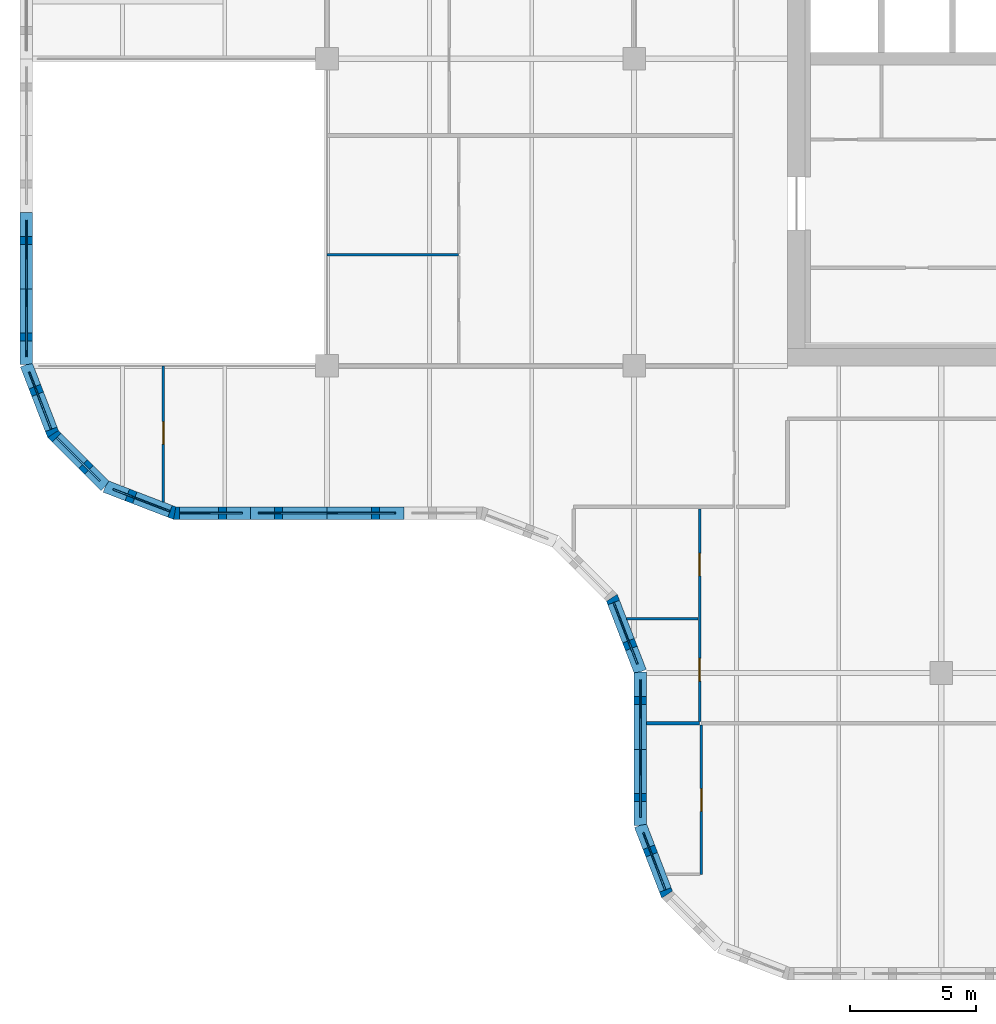
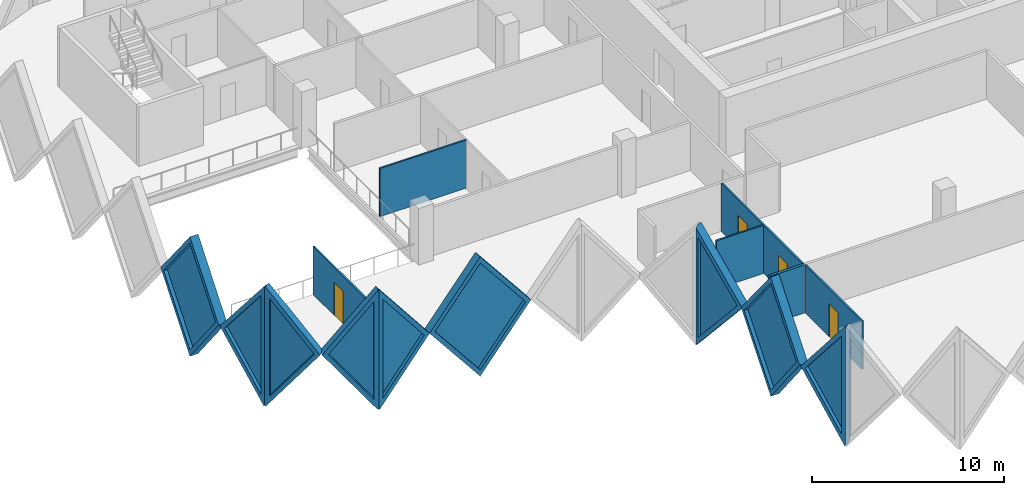
# One storey, part 3 of 12: 15 walls, 9 plates, 4 doors, 13 openings.
"""IFC4 building model written with IfcOpenShell, lengths in metres."""

from ifc_helpers import new_model, si_unit, direction, frame, frame_2d, origin, place, context, subcontext, project, spatial, polyline, rectangle, outline, extrude, faceted_brep, source, transform, mapped, material, layer, layer_set, type_object, element, fill, save


model = new_model("IFC4")

# Units and contexts
model_context = context("Model", 3, precision=1e-05, world=origin(), true_north=direction((0.0, 1.0)))
body_context = subcontext(model_context, "Body", "Model", "MODEL_VIEW")
ifc_project = project(units=[si_unit("LENGTHUNIT", "METRE"), si_unit("AREAUNIT", "SQUARE_METRE"), si_unit("VOLUMEUNIT", "CUBIC_METRE"), si_unit("PLANEANGLEUNIT", "RADIAN"), si_unit("MASSUNIT", "GRAM", prefix="KILO")], contexts=[model_context])

# Site, building, storey
site_placement = place(None, origin())
site = spatial("IfcSite", under=ifc_project, at=site_placement, CompositionType="ELEMENT")
building_placement = place(site_placement, origin())
building = spatial("IfcBuilding", under=site, at=building_placement, Name="Tessera Gate Towers", CompositionType="ELEMENT")
storey_placement = place(building_placement, frame((0.0, 0.0, 135.39990234375)))
storey = spatial("IfcBuildingStorey", under=building, at=storey_placement, Name="L33", CompositionType="ELEMENT", Elevation=135.39990234375)

# Wall, opening, door
ifc_material_1 = material(Name="Glass", Category="glass")
ifc_layer_1 = layer(ifc_material_1, 0.10009765625)
ifc_layer_set_1 = layer_set([ifc_layer_1], Name="GLAZED PARTITION 100")
wall_type_1 = type_object("IfcWallType", Name="GLAZED PARTITION 100", PredefinedType="PARTITIONING", material=ifc_layer_set_1)
wall_1_placement = place(storey_placement, frame((5.699951171875, 18.990234375, 0.0), z_axis=(0.0, 0.0, 1.0), x_axis=(0.0, 1.0, 0.0)))
wall_1 = element("IfcWall", 1, at=wall_1_placement, inside=storey, type_object=wall_type_1, Name="T1-L33-PW-025", PredefinedType="PARTITIONING", context=body_context, shape_type="SweptSolid", body=[
    extrude(rectangle(XDim=5.40966796875, YDim=0.10009765625, at=frame_2d((2.704833984375, 0.0))), origin(), (0.0, 0.0, 1.0), 3.067138671875),
])
shared_shape_1 = source(origin(), body_context, "Body", "SweptSolid", [
    extrude(rectangle(XDim=0.89990234375, YDim=2.10009765625, at=frame_2d((0.449951171875, 1.050048828125))), frame((0.0, 0.06005859375, 0.0), z_axis=(0.0, -1.0, 0.0), x_axis=(1.0, 0.0, 0.0)), (0.0, 0.0, 1.0), 0.1201171875),
])
opening_1_placement = place(wall_1_placement, frame((2.300048828125, 0.0, 0.0)))
opening_1 = element("IfcOpeningElement", 2, at=opening_1_placement, cuts=wall_1, Name="Opening D690-A12-02", PredefinedType="OPENING", context=body_context, shape_type="MappedRepresentation", body=[
    mapped(shared_shape_1, transform((0.0, 0.0, 0.0), scale=1.0)),
])
ifc_material_2 = material(Name="Glass in aluminium frame", Category="aluminium")
door_type_1 = type_object("IfcDoorType", Name="GLAZED DOOR 900 NOT RATED", OperationType="NOTDEFINED", PredefinedType="DOOR", material=ifc_material_2)
shared_shape_2 = source(origin(), body_context, "Body", "SweptSolid", [
    extrude(rectangle(XDim=0.89990234375, YDim=2.10009765625, at=frame_2d((0.449951171875, 1.050048828125))), frame((0.0, 0.02490234375, 0.0), z_axis=(0.0, -1.0, 0.0), x_axis=(1.0, 0.0, 0.0)), (0.0, 0.0, 1.0), 0.050048828125),
])
door_1_placement = place(opening_1_placement, origin())
door_1 = element("IfcDoor", 3, at=door_1_placement, inside=storey, type_object=door_type_1, Name="T1-L33-PD-015", OperationType="SINGLE_SWING_LEFT", OverallHeight=2.10009765625, OverallWidth=0.89990234375, PredefinedType="DOOR", context=body_context, shape_type="MappedRepresentation", body=[
    mapped(shared_shape_2, transform((0.0, 0.0, 0.0), scale=1.0)),
])
fill(opening_1, door_1)

ifc_material_3 = material(Name="Gypsum board on steel studs", Category="steel")
ifc_layer_2 = layer(ifc_material_3, 0.10009765625)
ifc_layer_set_2 = layer_set([ifc_layer_2], Name="PARTITION 100")
wall_type_2 = type_object("IfcWallType", Name="PARTITION 100", PredefinedType="PARTITIONING", material=ifc_layer_set_2)
wall_2_placement = place(storey_placement, frame((27.074951171875, 4.199951171875, 0.0), z_axis=(0.0, 0.0, 1.0), x_axis=(0.0, 1.0, 0.0)))
wall_2 = element("IfcWall", 4, at=wall_2_placement, inside=storey, type_object=wall_type_2, Name="T1-L33-PW-004", PredefinedType="PARTITIONING", context=body_context, shape_type="SweptSolid", body=[
    extrude(rectangle(XDim=5.924072265625, YDim=0.10009765625, at=frame_2d((2.9619140625, 0.0))), origin(), (0.0, 0.0, 1.0), 3.067138671875),
])
opening_2_placement = place(wall_2_placement, frame((2.5, 0.0, 0.0)))
opening_2 = element("IfcOpeningElement", 5, at=opening_2_placement, cuts=wall_2, Name="Opening D190-A12-14", PredefinedType="OPENING", context=body_context, shape_type="MappedRepresentation", body=[
    mapped(shared_shape_1, transform((0.0, 0.0, 0.0), scale=1.0)),
])
ifc_material_4 = material(Name="Timber door leaf in steel frame", Category="steel")
door_type_2 = type_object("IfcDoorType", Name="INTERNAL DOOR 900 NOT RATED", OperationType="NOTDEFINED", PredefinedType="DOOR", material=ifc_material_4)
door_2_placement = place(opening_2_placement, origin())
door_2 = element("IfcDoor", 6, at=door_2_placement, inside=storey, type_object=door_type_2, Name="T1-L33-PD-023", OperationType="SINGLE_SWING_LEFT", OverallHeight=2.10009765625, OverallWidth=0.89990234375, PredefinedType="DOOR", context=body_context, shape_type="MappedRepresentation", body=[
    mapped(shared_shape_2, transform((0.0, 0.0, 0.0), scale=1.0)),
])
fill(opening_2, door_2)

# Wall, openings, doors
wall_3_placement = place(storey_placement, frame((27.0, 10.27587890625, 0.0), z_axis=(0.0, 0.0, 1.0), x_axis=(0.0, 1.0, 0.0)))
wall_3 = element("IfcWall", 7, at=wall_3_placement, inside=storey, type_object=wall_type_2, Name="T1-L33-PW-011", PredefinedType="PARTITIONING", context=body_context, shape_type="SweptSolid", body=[
    extrude(rectangle(XDim=8.4482421875, YDim=0.10009765625, at=frame_2d((4.22412109375, 0.0))), origin(), (0.0, 0.0, 1.0), 3.067138671875),
])
opening_3_placement = place(wall_3_placement, frame((1.60009765625, 0.0, 0.0)))
opening_3 = element("IfcOpeningElement", 8, at=opening_3_placement, cuts=wall_3, Name="Opening D190-A12-01", PredefinedType="OPENING", context=body_context, shape_type="MappedRepresentation", body=[
    mapped(shared_shape_1, transform((0.0, 0.0, 0.0), scale=1.0)),
])
opening_4_placement = place(wall_3_placement, frame((5.778564453125, 0.0, 0.0)))
opening_4 = element("IfcOpeningElement", 9, at=opening_4_placement, cuts=wall_3, Name="Opening D190-A12-05", PredefinedType="OPENING", context=body_context, shape_type="MappedRepresentation", body=[
    mapped(shared_shape_1, transform((0.0, 0.0, 0.0), scale=1.0)),
])
door_3_placement = place(opening_3_placement, origin())
door_3 = element("IfcDoor", 10, at=door_3_placement, inside=storey, type_object=door_type_2, Name="T1-L33-PD-002", OperationType="SINGLE_SWING_LEFT", OverallHeight=2.10009765625, OverallWidth=0.89990234375, PredefinedType="DOOR", context=body_context, shape_type="MappedRepresentation", body=[
    mapped(shared_shape_2, transform((0.0, 0.0, 0.0), scale=1.0)),
])
fill(opening_3, door_3)
door_4_placement = place(opening_4_placement, origin())
door_4 = element("IfcDoor", 11, at=door_4_placement, inside=storey, type_object=door_type_2, Name="T1-L33-PD-006", OperationType="SINGLE_SWING_LEFT", OverallHeight=2.10009765625, OverallWidth=0.89990234375, PredefinedType="DOOR", context=body_context, shape_type="MappedRepresentation", body=[
    mapped(shared_shape_2, transform((0.0, 0.0, 0.0), scale=1.0)),
])
fill(opening_4, door_4)

# Walls
wall_4_placement = place(storey_placement, frame((24.104736328125, 14.35498046875, 0.0), z_axis=(0.0, 0.0, 1.0), x_axis=(1.0, 0.0, 0.0)))
element("IfcWall", 12, at=wall_4_placement, inside=storey, type_object=wall_type_2, Name="T1-L33-PW-014", PredefinedType="PARTITIONING", context=body_context, shape_type="SweptSolid", body=[
    extrude(rectangle(XDim=2.84423828125, YDim=0.10009765625, at=frame_2d((1.422119140625, 0.0))), origin(), (0.0, 0.0, 1.0), 3.067138671875),
])
wall_5_placement = place(storey_placement, frame((12.199951171875, 28.820068359375, 0.0), z_axis=(0.0, 0.0, 1.0), x_axis=(1.0, 0.0, 0.0)))
element("IfcWall", 13, at=wall_5_placement, inside=storey, type_object=wall_type_2, Name="T1-L33-PW-033", PredefinedType="PARTITIONING", context=body_context, shape_type="SweptSolid", body=[
    extrude(rectangle(XDim=5.22509765625, YDim=0.10009765625, at=frame_2d((2.612548828125, 0.0))), origin(), (0.0, 0.0, 1.0), 3.067138671875),
])
ifc_material_5 = material(Name="Gypsum board on steel studs, mineral wool", Category="steel")
ifc_layer_3 = layer(ifc_material_5, 0.14990234375)
ifc_layer_set_3 = layer_set([ifc_layer_3], Name="TENANCY WALL 150")
wall_type_3 = type_object("IfcWallType", Name="TENANCY WALL 150", PredefinedType="PARTITIONING", material=ifc_layer_set_3)
wall_6_placement = place(storey_placement, frame((24.89990234375, 10.199951171875, 0.0), z_axis=(0.0, 0.0, 1.0), x_axis=(1.0, 0.0, 0.0)))
element("IfcWall", 14, at=wall_6_placement, inside=storey, type_object=wall_type_3, Name="T1-L33-PW-009", PredefinedType="PARTITIONING", context=body_context, shape_type="SweptSolid", body=[
    extrude(rectangle(XDim=2.10009765625, YDim=0.14990234375, at=frame_2d((1.050048828125, 0.0))), origin(), (0.0, 0.0, 1.0), 3.067138671875),
])

# Wall, opening, plate
ifc_material_6 = material(Name="Precast concrete C60/75 white", Category="concrete")
ifc_layer_4 = layer(ifc_material_6, 0.5)
ifc_layer_set_4 = layer_set([ifc_layer_4], Name="TS3 corner tessera")
wall_type_4 = type_object("IfcWallType", Name="TS3 corner tessera", PredefinedType="SOLIDWALL", material=ifc_layer_set_4)
shared_shape_3 = source(origin(), body_context, "Body", "Brep", [
    faceted_brep([(0.046630859375, -0.25, 0.0), (3.050048828125, -0.25, 3.7998046875), (0.046630859375, -0.25, 7.599853515625), (0.0, -0.25, 7.539794921875), (0.0, -0.25, 0.06005859375), (0.09326171875, 0.25, 7.541015625), (3.050048828125, 0.25, 3.7998046875), (0.09326171875, 0.25, 0.058837890625), (0.046630859375, 0.0, 0.0), (0.046630859375, 0.0, 7.599853515625)], [[[0, 1, 2, 3, 4]], [[5, 6, 7]], [[7, 6, 1, 0, 8]], [[6, 5, 9, 2, 1]], [[3, 2, 9]], [[8, 0, 4]], [[7, 8, 4, 3, 9, 5]]]),
])
wall_7_placement = place(storey_placement, frame((6.099853515625, 18.550048828125, -3.7998046875), z_axis=(0.0, 0.0, 1.0), x_axis=(1.0, 0.0, 0.0)))
wall_7 = element("IfcWall", 15, at=wall_7_placement, inside=storey, type_object=wall_type_4, Name="Precast corner tessera T1 TS3-0762", PredefinedType="SOLIDWALL", context=body_context, shape_type="MappedRepresentation", body=[
    mapped(shared_shape_3, transform((0.0, 0.0, 0.0), scale=1.0)),
])
shared_shape_4 = source(origin(), body_context, "Body", "SweptSolid", [
    extrude(outline(polyline([(0.24658203125, 0.656005859375), (2.7314453125, 3.7998046875), (0.24658203125, 6.943603515625), (0.24658203125, 0.656005859375)])), frame((0.0, 0.260009765625, 0.0), z_axis=(0.0, -1.0, 0.0), x_axis=(1.0, 0.0, 0.0)), (0.0, 0.0, 1.0), 0.52001953125),
])
opening_5_placement = place(wall_7_placement, origin())
opening_5 = element("IfcOpeningElement", 16, at=opening_5_placement, cuts=wall_7, Name="Opening T1-PL2-1166", PredefinedType="OPENING", context=body_context, shape_type="MappedRepresentation", body=[
    mapped(shared_shape_4, transform((0.0, 0.0, 0.0), scale=1.0)),
])
ifc_material_7 = material(Name="Low-e laminated glass", Category="glass")
ifc_layer_5 = layer(ifc_material_7, 0.06005859375)
ifc_layer_set_5 = layer_set([ifc_layer_5], Name="PL2 rhombic pane")
plate_type = type_object("IfcPlateType", Name="PL2 rhombic pane", PredefinedType="SHEET", material=ifc_layer_set_5)
shared_shape_5 = source(origin(), body_context, "Body", "SweptSolid", [
    extrude(outline(polyline([(0.24658203125, 0.656005859375), (2.7314453125, 3.7998046875), (0.24658203125, 6.943603515625), (0.24658203125, 0.656005859375)])), frame((0.0, 0.030029296875, 0.0), z_axis=(0.0, -1.0, 0.0), x_axis=(1.0, 0.0, 0.0)), (0.0, 0.0, 1.0), 0.06005859375),
])
plate_1_placement = place(opening_5_placement, origin())
plate_1 = element("IfcPlate", 17, at=plate_1_placement, inside=storey, type_object=plate_type, Name="Glass pane T1 PL2-1166", PredefinedType="SHEET", context=body_context, shape_type="MappedRepresentation", body=[
    mapped(shared_shape_5, transform((0.0, 0.0, 0.0), scale=1.0)),
])
fill(opening_5, plate_1)

ifc_material_8 = material(Name="Precast concrete C60/75 white", Category="concrete")
ifc_layer_6 = layer(ifc_material_8, 0.5)
ifc_layer_set_6 = layer_set([ifc_layer_6], Name="TS1 tessera")
wall_type_5 = type_object("IfcWallType", Name="TS1 tessera", PredefinedType="SOLIDWALL", material=ifc_layer_set_6)
shared_shape_6 = source(origin(), body_context, "Body", "SweptSolid", [
    extrude(outline(polyline([(3.050048828125, 0.0), (6.10009765625, 3.7998046875), (3.050048828125, 7.599853515625), (0.0, 3.7998046875), (3.050048828125, 0.0)])), frame((0.0, 0.25, 0.0), z_axis=(0.0, -1.0, 0.0), x_axis=(1.0, 0.0, 0.0)), (0.0, 0.0, 1.0), 0.5),
])
wall_8_placement = place(storey_placement, frame((9.14990234375, 18.550048828125, -3.7998046875), z_axis=(0.0, 0.0, 1.0), x_axis=(1.0, 0.0, 0.0)))
wall_8 = element("IfcWall", 18, at=wall_8_placement, inside=storey, type_object=wall_type_5, Name="Precast tessera T1 TS1-0573", PredefinedType="SOLIDWALL", context=body_context, shape_type="MappedRepresentation", body=[
    mapped(shared_shape_6, transform((0.0, 0.0, 0.0), scale=1.0)),
])
shared_shape_7 = source(origin(), body_context, "Body", "SweptSolid", [
    extrude(outline(polyline([(3.050048828125, 0.3994140625), (5.779541015625, 3.7998046875), (3.050048828125, 7.200439453125), (0.320556640625, 3.7998046875), (3.050048828125, 0.3994140625)])), frame((0.0, 0.260009765625, 0.0), z_axis=(0.0, -1.0, 0.0), x_axis=(1.0, 0.0, 0.0)), (0.0, 0.0, 1.0), 0.52001953125),
])
opening_6_placement = place(wall_8_placement, origin())
opening_6 = element("IfcOpeningElement", 19, at=opening_6_placement, cuts=wall_8, Name="Opening T1-PL2-1167", PredefinedType="OPENING", context=body_context, shape_type="MappedRepresentation", body=[
    mapped(shared_shape_7, transform((0.0, 0.0, 0.0), scale=1.0)),
])
shared_shape_8 = source(origin(), body_context, "Body", "SweptSolid", [
    extrude(outline(polyline([(3.050048828125, 0.3994140625), (5.779541015625, 3.7998046875), (3.050048828125, 7.200439453125), (0.320556640625, 3.7998046875), (3.050048828125, 0.3994140625)])), frame((0.0, 0.030029296875, 0.0), z_axis=(0.0, -1.0, 0.0), x_axis=(1.0, 0.0, 0.0)), (0.0, 0.0, 1.0), 0.06005859375),
])
plate_2_placement = place(opening_6_placement, origin())
plate_2 = element("IfcPlate", 20, at=plate_2_placement, inside=storey, type_object=plate_type, Name="Glass pane T1 PL2-1167", PredefinedType="SHEET", context=body_context, shape_type="MappedRepresentation", body=[
    mapped(shared_shape_8, transform((0.0, 0.0, 0.0), scale=1.0)),
])
fill(opening_6, plate_2)

shared_shape_9 = source(origin(), body_context, "Body", "Brep", [
    faceted_brep([(3.050048828125, -0.25, 0.0), (6.053466796875, -0.25, 3.7998046875), (3.050048828125, -0.25, 7.599853515625), (0.0, -0.25, 3.7998046875), (0.0, 0.25, 3.7998046875), (3.050048828125, 0.25, 7.599853515625), (6.0068359375, 0.25, 3.858642578125), (6.0068359375, 0.25, 3.740966796875), (3.050048828125, 0.25, 0.0), (6.053466796875, 0.0, 3.7998046875)], [[[0, 1, 2, 3]], [[4, 5, 6, 7, 8]], [[8, 7, 9, 1, 0]], [[6, 5, 2, 1, 9]], [[5, 4, 3, 2]], [[4, 8, 0, 3]], [[9, 7, 6]]]),
])
wall_9_placement = place(storey_placement, frame((0.25, 30.5, -3.7998046875), z_axis=(0.0, 0.0, 1.0), x_axis=(0.0, -1.0, 0.0)))
wall_9 = element("IfcWall", 21, at=wall_9_placement, inside=storey, type_object=wall_type_5, Name="Precast tessera T1 TS1-0572", PredefinedType="SOLIDWALL", context=body_context, shape_type="MappedRepresentation", body=[
    mapped(shared_shape_9, transform((0.0, 0.0, 0.0), scale=1.0)),
])
shared_shape_10 = source(origin(), body_context, "Body", "SweptSolid", [
    extrude(outline(polyline([(3.048583984375, 0.401123046875), (5.73486328125, 3.7998046875), (3.048583984375, 7.19873046875), (0.320556640625, 3.7998046875), (3.048583984375, 0.401123046875)])), frame((0.0, 0.260009765625, 0.0), z_axis=(0.0, -1.0, 0.0), x_axis=(1.0, 0.0, 0.0)), (0.0, 0.0, 1.0), 0.52001953125),
])
opening_7_placement = place(wall_9_placement, origin())
opening_7 = element("IfcOpeningElement", 22, at=opening_7_placement, cuts=wall_9, Name="Opening T1-PL2-1162", PredefinedType="OPENING", context=body_context, shape_type="MappedRepresentation", body=[
    mapped(shared_shape_10, transform((0.0, 0.0, 0.0), scale=1.0)),
])
shared_shape_11 = source(origin(), body_context, "Body", "SweptSolid", [
    extrude(outline(polyline([(3.048583984375, 0.401123046875), (5.73486328125, 3.7998046875), (3.048583984375, 7.19873046875), (0.320556640625, 3.7998046875), (3.048583984375, 0.401123046875)])), frame((0.0, 0.030029296875, 0.0), z_axis=(0.0, -1.0, 0.0), x_axis=(1.0, 0.0, 0.0)), (0.0, 0.0, 1.0), 0.06005859375),
])
plate_3_placement = place(opening_7_placement, origin())
plate_3 = element("IfcPlate", 23, at=plate_3_placement, inside=storey, type_object=plate_type, Name="Glass pane T1 PL2-1162", PredefinedType="SHEET", context=body_context, shape_type="MappedRepresentation", body=[
    mapped(shared_shape_11, transform((0.0, 0.0, 0.0), scale=1.0)),
])
fill(opening_7, plate_3)

shared_shape_12 = source(origin(), body_context, "Body", "Brep", [
    faceted_brep([(2.950439453125, -0.25, 0.0), (3.00341796875, -0.25, 0.068359375), (3.00341796875, -0.25, 7.531494140625), (2.950439453125, -0.25, 7.599853515625), (0.0, -0.25, 3.7998046875), (0.046630859375, 0.25, 3.85986328125), (2.897705078125, 0.25, 7.53173828125), (2.897705078125, 0.25, 0.068115234375), (0.046630859375, 0.25, 3.73974609375), (2.950439453125, 0.00048828125, 0.0), (2.950439453125, 0.00048828125, 7.599853515625), (0.0, 0.0, 3.7998046875)], [[[0, 1, 2, 3, 4]], [[5, 6, 7, 8]], [[1, 0, 9]], [[10, 3, 2]], [[6, 5, 11, 4, 3, 10]], [[8, 7, 9, 0, 4, 11]], [[8, 11, 5]], [[1, 9, 7, 6, 10, 2]]]),
])
wall_10_placement = place(storey_placement, frame((0.25, 24.446533203125, -3.7998046875), z_axis=(0.0, 0.0, 1.0), x_axis=(0.35992665181, -0.932980602862, 0.0)))
wall_10 = element("IfcWall", 24, at=wall_10_placement, inside=storey, type_object=wall_type_4, Name="Precast corner tessera T1 TS3-0759", PredefinedType="SOLIDWALL", context=body_context, shape_type="MappedRepresentation", body=[
    mapped(shared_shape_12, transform((0.0, 0.0, 0.0), scale=1.0)),
])
shared_shape_13 = source(origin(), body_context, "Body", "SweptSolid", [
    extrude(outline(polyline([(2.75048828125, 6.9345703125), (0.31640625, 3.7998046875), (2.75048828125, 0.6650390625), (2.75048828125, 6.9345703125)])), frame((0.0, 0.260009765625, 0.0), z_axis=(0.0, -1.0, 0.0), x_axis=(1.0, 0.0, 0.0)), (0.0, 0.0, 1.0), 0.52001953125),
])
opening_8_placement = place(wall_10_placement, origin())
opening_8 = element("IfcOpeningElement", 25, at=opening_8_placement, cuts=wall_10, Name="Opening T1-PL2-1163", PredefinedType="OPENING", context=body_context, shape_type="MappedRepresentation", body=[
    mapped(shared_shape_13, transform((0.0, 0.0, 0.0), scale=1.0)),
])
shared_shape_14 = source(origin(), body_context, "Body", "SweptSolid", [
    extrude(outline(polyline([(2.75048828125, 6.9345703125), (0.31640625, 3.7998046875), (2.75048828125, 0.6650390625), (2.75048828125, 6.9345703125)])), frame((0.0, 0.030029296875, 0.0), z_axis=(0.0, -1.0, 0.0), x_axis=(1.0, 0.0, 0.0)), (0.0, 0.0, 1.0), 0.06005859375),
])
plate_4_placement = place(opening_8_placement, origin())
plate_4 = element("IfcPlate", 26, at=plate_4_placement, inside=storey, type_object=plate_type, Name="Glass pane T1 PL2-1163", PredefinedType="SHEET", context=body_context, shape_type="MappedRepresentation", body=[
    mapped(shared_shape_14, transform((0.0, 0.0, 0.0), scale=1.0)),
])
fill(opening_8, plate_4)

shared_shape_15 = source(origin(), body_context, "Body", "Brep", [
    faceted_brep([(2.950439453125, -0.25, 0.0), (2.9970703125, -0.25, 0.05908203125), (2.9970703125, -0.25, 7.540771484375), (2.950439453125, -0.25, 7.599853515625), (0.0, -0.25, 3.7998046875), (0.052978515625, 0.25, 3.867919921875), (2.904052734375, 0.25, 7.5400390625), (2.904052734375, 0.25, 0.059814453125), (0.052978515625, 0.25, 3.731689453125), (2.950439453125, 0.00048828125, 0.0), (2.950439453125, 0.00048828125, 7.599853515625), (0.0, 0.0, 3.7998046875)], [[[0, 1, 2, 3, 4]], [[5, 6, 7, 8]], [[1, 0, 9]], [[10, 3, 2]], [[6, 5, 11, 4, 3, 10]], [[8, 7, 9, 0, 4, 11]], [[8, 11, 5]], [[1, 9, 7, 6, 10, 2]]]),
])
wall_11_placement = place(storey_placement, frame((3.393798828125, 19.61181640625, -3.7998046875), z_axis=(0.0, 0.0, 1.0), x_axis=(0.932990326376, -0.359901446078, 0.0)))
wall_11 = element("IfcWall", 27, at=wall_11_placement, inside=storey, type_object=wall_type_4, Name="Precast corner tessera T1 TS3-0761", PredefinedType="SOLIDWALL", context=body_context, shape_type="MappedRepresentation", body=[
    mapped(shared_shape_15, transform((0.0, 0.0, 0.0), scale=1.0)),
])
opening_9_placement = place(wall_11_placement, origin())
opening_9 = element("IfcOpeningElement", 28, at=opening_9_placement, cuts=wall_11, Name="Opening T1-PL2-1165", PredefinedType="OPENING", context=body_context, shape_type="MappedRepresentation", body=[
    mapped(shared_shape_13, transform((0.0, 0.0, 0.0), scale=1.0)),
])
plate_5_placement = place(opening_9_placement, origin())
plate_5 = element("IfcPlate", 29, at=plate_5_placement, inside=storey, type_object=plate_type, Name="Glass pane T1 PL2-1165", PredefinedType="SHEET", context=body_context, shape_type="MappedRepresentation", body=[
    mapped(shared_shape_14, transform((0.0, 0.0, 0.0), scale=1.0)),
])
fill(opening_9, plate_5)

shared_shape_16 = source(origin(), body_context, "Body", "Brep", [
    faceted_brep([(0.052978515625, -0.25, 0.0), (2.9970703125, -0.25, 3.7998046875), (0.052978515625, -0.25, 7.599853515625), (0.0, -0.25, 7.53173828125), (0.0, -0.25, 0.068115234375), (0.10595703125, 0.25, 7.531494140625), (2.944091796875, 0.25, 3.867919921875), (2.944091796875, 0.25, 3.731689453125), (0.10595703125, 0.25, 0.068359375), (2.9970703125, 0.000244140625, 3.7998046875), (0.052978515625, 0.0, 0.0), (0.052978515625, 0.0, 7.599853515625)], [[[0, 1, 2, 3, 4]], [[5, 6, 7, 8]], [[8, 7, 9, 1, 0, 10]], [[6, 5, 11, 2, 1, 9]], [[3, 2, 11]], [[10, 0, 4]], [[8, 10, 4, 3, 11, 5]], [[9, 7, 6]]]),
])
wall_12_placement = place(storey_placement, frame((1.2744140625, 21.731201171875, -3.7998046875), z_axis=(0.0, 0.0, 1.0), x_axis=(0.707147509625, -0.707066050402, 0.0)))
wall_12 = element("IfcWall", 30, at=wall_12_placement, inside=storey, type_object=wall_type_4, Name="Precast corner tessera T1 TS3-0760", PredefinedType="SOLIDWALL", context=body_context, shape_type="MappedRepresentation", body=[
    mapped(shared_shape_16, transform((0.0, 0.0, 0.0), scale=1.0)),
])
shared_shape_17 = source(origin(), body_context, "Body", "SweptSolid", [
    extrude(outline(polyline([(0.2529296875, 0.666259765625), (2.680908203125, 3.7998046875), (0.2529296875, 6.93359375), (0.2529296875, 0.666259765625)])), frame((0.0, 0.260009765625, 0.0), z_axis=(0.0, -1.0, 0.0), x_axis=(1.0, 0.0, 0.0)), (0.0, 0.0, 1.0), 0.52001953125),
])
opening_10_placement = place(wall_12_placement, origin())
opening_10 = element("IfcOpeningElement", 31, at=opening_10_placement, cuts=wall_12, Name="Opening T1-PL2-1164", PredefinedType="OPENING", context=body_context, shape_type="MappedRepresentation", body=[
    mapped(shared_shape_17, transform((0.0, 0.0, 0.0), scale=1.0)),
])
shared_shape_18 = source(origin(), body_context, "Body", "SweptSolid", [
    extrude(outline(polyline([(0.2529296875, 0.666259765625), (2.680908203125, 3.7998046875), (0.2529296875, 6.93359375), (0.2529296875, 0.666259765625)])), frame((0.0, 0.030029296875, 0.0), z_axis=(0.0, -1.0, 0.0), x_axis=(1.0, 0.0, 0.0)), (0.0, 0.0, 1.0), 0.06005859375),
])
plate_6_placement = place(opening_10_placement, origin())
plate_6 = element("IfcPlate", 32, at=plate_6_placement, inside=storey, type_object=plate_type, Name="Glass pane T1 PL2-1164", PredefinedType="SHEET", context=body_context, shape_type="MappedRepresentation", body=[
    mapped(shared_shape_18, transform((0.0, 0.0, 0.0), scale=1.0)),
])
fill(opening_10, plate_6)

shared_shape_19 = source(origin(), body_context, "Body", "Brep", [
    faceted_brep([(0.10595703125, -0.25, 0.06396484375), (3.156005859375, -0.25, 3.74365234375), (3.156005859375, -0.25, 3.85595703125), (0.10595703125, -0.25, 7.535888671875), (0.0, 0.25, 7.5361328125), (0.052978515625, 0.25, 7.599853515625), (3.202392578125, 0.25, 3.7998046875), (0.052978515625, 0.25, 0.0), (0.0, 0.25, 0.063720703125), (3.202392578125, -0.000244140625, 3.7998046875), (0.052978515625, 0.0, 0.0), (0.052978515625, 0.0, 7.599853515625)], [[[0, 1, 2, 3]], [[4, 5, 6, 7, 8]], [[7, 6, 9, 1, 0, 10]], [[6, 5, 11, 3, 2, 9]], [[5, 4, 11]], [[8, 7, 10]], [[8, 10, 0, 3, 11, 4]], [[1, 9, 2]]]),
])
wall_13_placement = place(storey_placement, frame((23.497314453125, 15.234375, -3.7998046875), z_axis=(0.0, 0.0, 1.0), x_axis=(0.359913782069, -0.932985567668, 0.0)))
wall_13 = element("IfcWall", 33, at=wall_13_placement, inside=storey, type_object=wall_type_4, Name="Precast corner tessera T1 TS3-0766", PredefinedType="SOLIDWALL", context=body_context, shape_type="MappedRepresentation", body=[
    mapped(shared_shape_19, transform((0.0, 0.0, 0.0), scale=1.0)),
])
shared_shape_20 = source(origin(), body_context, "Body", "SweptSolid", [
    extrude(outline(polyline([(0.2529296875, 0.633056640625), (2.877685546875, 3.7998046875), (0.2529296875, 6.966796875), (0.2529296875, 0.633056640625)])), frame((0.0, 0.260009765625, 0.0), z_axis=(0.0, -1.0, 0.0), x_axis=(1.0, 0.0, 0.0)), (0.0, 0.0, 1.0), 0.52001953125),
])
opening_11_placement = place(wall_13_placement, origin())
opening_11 = element("IfcOpeningElement", 34, at=opening_11_placement, cuts=wall_13, Name="Opening T1-PL2-1171", PredefinedType="OPENING", context=body_context, shape_type="MappedRepresentation", body=[
    mapped(shared_shape_20, transform((0.0, 0.0, 0.0), scale=1.0)),
])
shared_shape_21 = source(origin(), body_context, "Body", "SweptSolid", [
    extrude(outline(polyline([(0.2529296875, 0.633056640625), (2.877685546875, 3.7998046875), (0.2529296875, 6.966796875), (0.2529296875, 0.633056640625)])), frame((0.0, 0.030029296875, 0.0), z_axis=(0.0, -1.0, 0.0), x_axis=(1.0, 0.0, 0.0)), (0.0, 0.0, 1.0), 0.06005859375),
])
plate_7_placement = place(opening_11_placement, origin())
plate_7 = element("IfcPlate", 35, at=plate_7_placement, inside=storey, type_object=plate_type, Name="Glass pane T1 PL2-1171", PredefinedType="SHEET", context=body_context, shape_type="MappedRepresentation", body=[
    mapped(shared_shape_21, transform((0.0, 0.0, 0.0), scale=1.0)),
])
fill(opening_11, plate_7)

shared_shape_22 = source(origin(), body_context, "Body", "Brep", [
    faceted_brep([(3.096435546875, -0.25, 0.0), (6.10009765625, -0.25, 3.7998046875), (3.096435546875, -0.25, 7.599853515625), (0.046630859375, -0.25, 3.85693359375), (0.046630859375, -0.25, 3.74267578125), (0.0, 0.25, 3.7998046875), (3.096435546875, 0.25, 7.599853515625), (6.053466796875, 0.25, 3.85888671875), (6.053466796875, 0.25, 3.74072265625), (3.096435546875, 0.25, 0.0), (6.10009765625, -0.00048828125, 3.7998046875), (0.0, 0.0, 3.7998046875)], [[[0, 1, 2, 3, 4]], [[5, 6, 7, 8, 9]], [[9, 8, 10, 1, 0]], [[7, 6, 2, 1, 10]], [[6, 5, 11, 3, 2]], [[5, 9, 0, 4, 11]], [[11, 4, 3]], [[10, 8, 7]]]),
])
wall_14_placement = place(storey_placement, frame((24.64990234375, 12.24658203125, -3.7998046875), z_axis=(0.0, 0.0, 1.0), x_axis=(0.0, -1.0, 0.0)))
wall_14 = element("IfcWall", 36, at=wall_14_placement, inside=storey, type_object=wall_type_5, Name="Precast tessera T1 TS1-0574", PredefinedType="SOLIDWALL", context=body_context, shape_type="MappedRepresentation", body=[
    mapped(shared_shape_22, transform((0.0, 0.0, 0.0), scale=1.0)),
])
shared_shape_23 = source(origin(), body_context, "Body", "SweptSolid", [
    extrude(outline(polyline([(3.093505859375, 0.3994140625), (5.78125, 3.7998046875), (3.093505859375, 7.200439453125), (0.322509765625, 3.7998046875), (3.093505859375, 0.3994140625)])), frame((0.0, 0.260009765625, 0.0), z_axis=(0.0, -1.0, 0.0), x_axis=(1.0, 0.0, 0.0)), (0.0, 0.0, 1.0), 0.52001953125),
])
opening_12_placement = place(wall_14_placement, origin())
opening_12 = element("IfcOpeningElement", 37, at=opening_12_placement, cuts=wall_14, Name="Opening T1-PL2-1172", PredefinedType="OPENING", context=body_context, shape_type="MappedRepresentation", body=[
    mapped(shared_shape_23, transform((0.0, 0.0, 0.0), scale=1.0)),
])
shared_shape_24 = source(origin(), body_context, "Body", "SweptSolid", [
    extrude(outline(polyline([(3.093505859375, 0.3994140625), (5.78125, 3.7998046875), (3.093505859375, 7.200439453125), (0.322509765625, 3.7998046875), (3.093505859375, 0.3994140625)])), frame((0.0, 0.030029296875, 0.0), z_axis=(0.0, -1.0, 0.0), x_axis=(1.0, 0.0, 0.0)), (0.0, 0.0, 1.0), 0.06005859375),
])
plate_8_placement = place(opening_12_placement, origin())
plate_8 = element("IfcPlate", 38, at=plate_8_placement, inside=storey, type_object=plate_type, Name="Glass pane T1 PL2-1172", PredefinedType="SHEET", context=body_context, shape_type="MappedRepresentation", body=[
    mapped(shared_shape_24, transform((0.0, 0.0, 0.0), scale=1.0)),
])
fill(opening_12, plate_8)

shared_shape_25 = source(origin(), body_context, "Body", "Brep", [
    faceted_brep([(2.950439453125, -0.25, 0.0), (3.00341796875, -0.25, 0.068359375), (3.00341796875, -0.25, 7.531494140625), (2.950439453125, -0.25, 7.599853515625), (0.0, -0.25, 3.7998046875), (0.046630859375, 0.25, 3.85986328125), (2.897705078125, 0.25, 7.53173828125), (2.897705078125, 0.25, 0.068115234375), (0.046630859375, 0.25, 3.73974609375), (2.950439453125, 0.00048828125, 0.0), (2.950439453125, 0.00048828125, 7.599853515625), (0.0, 0.0, 3.7998046875)], [[[0, 1, 2, 3, 4]], [[5, 6, 7, 8]], [[1, 0, 9]], [[10, 3, 2]], [[6, 5, 11, 4, 3, 10]], [[8, 7, 9, 0, 4, 11]], [[8, 11, 5]], [[1, 9, 7, 6, 10, 2]]]),
])
wall_15_placement = place(storey_placement, frame((24.64990234375, 6.146484375, -3.7998046875), z_axis=(0.0, 0.0, 1.0), x_axis=(0.359953949349, -0.932970071518, 0.0)))
wall_15 = element("IfcWall", 39, at=wall_15_placement, inside=storey, type_object=wall_type_4, Name="Precast corner tessera T1 TS3-0767", PredefinedType="SOLIDWALL", context=body_context, shape_type="MappedRepresentation", body=[
    mapped(shared_shape_25, transform((0.0, 0.0, 0.0), scale=1.0)),
])
opening_13_placement = place(wall_15_placement, origin())
opening_13 = element("IfcOpeningElement", 40, at=opening_13_placement, cuts=wall_15, Name="Opening T1-PL2-1173", PredefinedType="OPENING", context=body_context, shape_type="MappedRepresentation", body=[
    mapped(shared_shape_13, transform((0.0, 0.0, 0.0), scale=1.0)),
])
plate_9_placement = place(opening_13_placement, origin())
plate_9 = element("IfcPlate", 41, at=plate_9_placement, inside=storey, type_object=plate_type, Name="Glass pane T1 PL2-1173", PredefinedType="SHEET", context=body_context, shape_type="MappedRepresentation", body=[
    mapped(shared_shape_14, transform((0.0, 0.0, 0.0), scale=1.0)),
])
fill(opening_13, plate_9)

save(model, "model.ifc")
